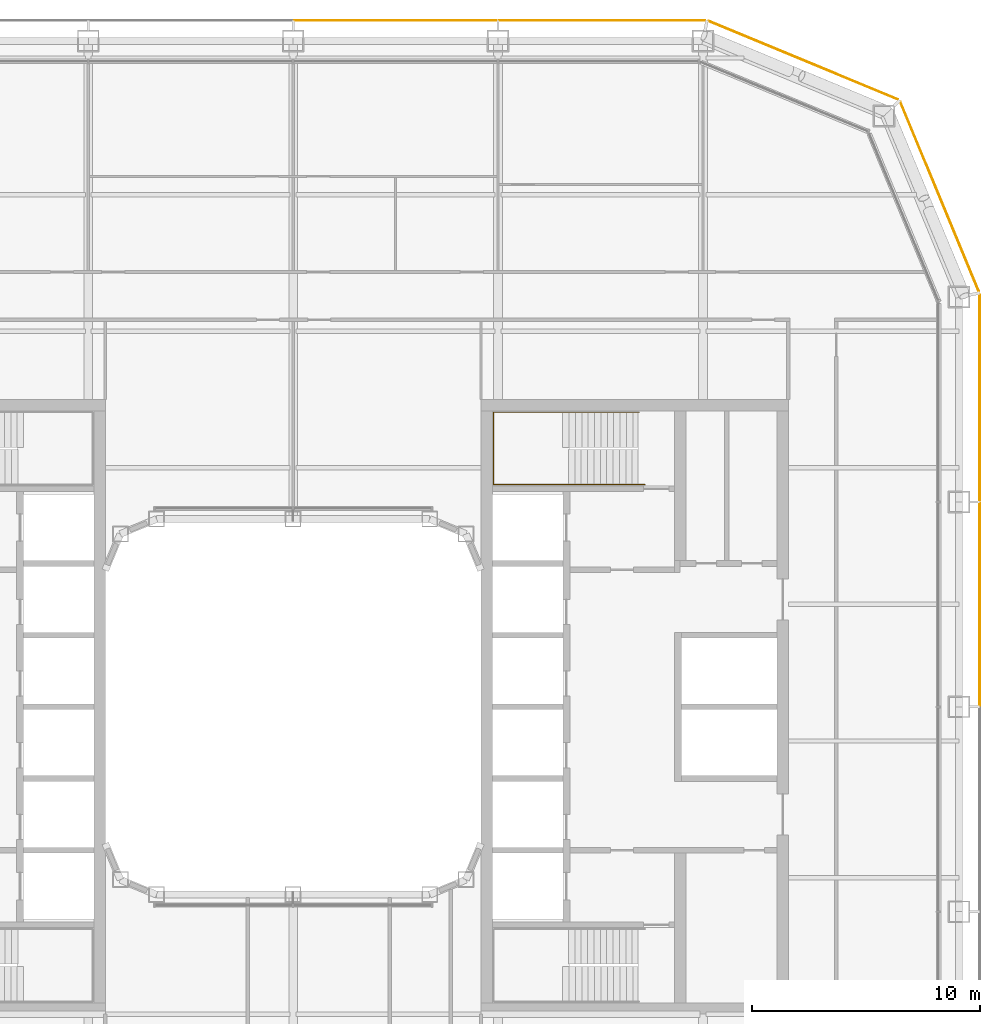
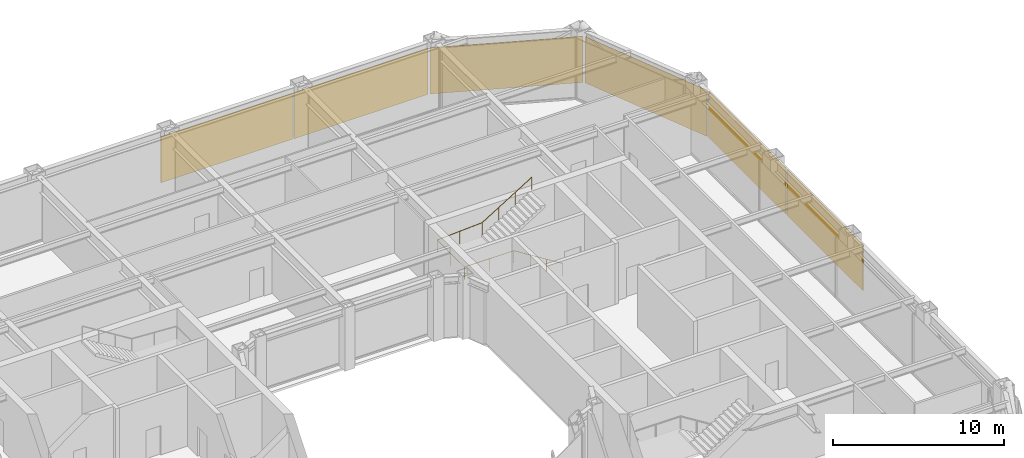
# One storey, part 21 of 21: 6 coverings, 1 railing.
"""IFC4 building model written with IfcOpenShell, lengths in metres."""

from ifc_helpers import new_model, si_unit, direction, frame, origin, origin_2d, place, context, subcontext, project, spatial, rectangle, circle, extrude, material, layer, layer_set, type_object, element, save


model = new_model("IFC4")

# Units and contexts
model_context = context("Model", 3, precision=1e-05, world=origin(), true_north=direction((0.0, 1.0)))
body_context = subcontext(model_context, "Body", "Model", "MODEL_VIEW")
ifc_project = project(units=[si_unit("LENGTHUNIT", "METRE"), si_unit("AREAUNIT", "SQUARE_METRE"), si_unit("VOLUMEUNIT", "CUBIC_METRE"), si_unit("PLANEANGLEUNIT", "RADIAN"), si_unit("MASSUNIT", "GRAM", prefix="KILO")], contexts=[model_context])

# Site, building, storey
site_placement = place(None, origin())
site = spatial("IfcSite", under=ifc_project, at=site_placement, CompositionType="ELEMENT")
building_placement = place(site_placement, origin())
building = spatial("IfcBuilding", under=site, at=building_placement, Name="Siwar Civic Tower", CompositionType="ELEMENT")
storey_placement = place(building_placement, frame((0.0, 0.0, 104.699951171875)))
storey = spatial("IfcBuildingStorey", under=building, at=storey_placement, Name="L22", CompositionType="ELEMENT", Elevation=104.699951171875)

# Railing
ifc_material_1 = material(Name="Stainless steel", Category="steel")
railing_type = type_object("IfcRailingType", Name="CORE-STAIR-HANDRAIL", PredefinedType="HANDRAIL", material=ifc_material_1)
railing_placement = place(storey_placement, frame((15.449951171875, 9.758056640625, 0.173095703125)))
element("IfcRailing", 1, at=railing_placement, inside=storey, type_object=railing_type, Name="Stair handrail ST3", PredefinedType="HANDRAIL", context=body_context, shape_type="SweptSolid", body=[
    extrude(circle(Radius=0.02001953125, at=origin_2d()), frame((0.0, 0.0, 0.8798828125), z_axis=(-0.847063342986, 0.0, 0.531491950051), x_axis=(0.0, -1.0, 0.0)), (0.0, 0.0, 1.0), 3.90771484375),
    extrude(circle(Radius=0.02001953125, at=origin_2d()), frame((-3.31005859375, 0.0, 2.956787109375), z_axis=(-1.0, 0.0, 0.0), x_axis=(0.0, -1.0, 0.0)), (0.0, 0.0, 1.0), 3.331787109375),
    extrude(circle(Radius=0.02001953125, at=origin_2d()), frame((-6.641845703125, 0.0, 2.956787109375), z_axis=(0.0, 1.0, 0.0), x_axis=(-1.0, 0.0, 0.0)), (0.0, 0.0, 1.0), 3.183837890625),
    extrude(circle(Radius=0.02001953125, at=origin_2d()), frame((-6.641845703125, 3.183837890625, 2.956787109375), z_axis=(0.99837434197, 0.0, 0.056997134106), x_axis=(0.0, 1.0, 0.0)), (0.0, 0.0, 1.0), 3.036865234375),
    extrude(circle(Radius=0.02001953125, at=origin_2d()), frame((-3.60986328125, 3.183837890625, 3.1298828125), z_axis=(0.850606129759, 0.0, 0.525803396734), x_axis=(0.0, 1.0, 0.0)), (0.0, 0.0, 1.0), 3.949951171875),
    extrude(circle(Radius=0.02001953125, at=origin_2d()), origin(), (0.0, 0.0, 1.0), 0.85986328125),
    extrude(circle(Radius=0.02001953125, at=origin_2d()), frame((-1.103271484375, 0.0, 0.6923828125)), (0.0, 0.0, 1.0), 0.85986328125),
    extrude(circle(Radius=0.02001953125, at=origin_2d()), frame((-2.206787109375, 0.0, 1.384521484375)), (0.0, 0.0, 1.0), 0.85986328125),
    extrude(circle(Radius=0.02001953125, at=origin_2d()), frame((-3.31005859375, 0.0, 2.076904296875)), (0.0, 0.0, 1.0), 0.85986328125),
    extrude(circle(Radius=0.02001953125, at=origin_2d()), frame((-4.97607421875, 0.0, 2.076904296875)), (0.0, 0.0, 1.0), 0.85986328125),
    extrude(circle(Radius=0.02001953125, at=origin_2d()), frame((-6.641845703125, 0.0, 2.076904296875)), (0.0, 0.0, 1.0), 0.85986328125),
    extrude(circle(Radius=0.02001953125, at=origin_2d()), frame((-6.641845703125, 1.591796875, 2.076904296875)), (0.0, 0.0, 1.0), 0.85986328125),
    extrude(circle(Radius=0.02001953125, at=origin_2d()), frame((-6.641845703125, 3.183837890625, 2.076904296875)), (0.0, 0.0, 1.0), 0.85986328125),
    extrude(circle(Radius=0.02001953125, at=origin_2d()), frame((-5.1259765625, 3.183837890625, 2.16357421875)), (0.0, 0.0, 1.0), 0.85986328125),
    extrude(circle(Radius=0.02001953125, at=origin_2d()), frame((-3.60986328125, 3.183837890625, 2.25)), (0.0, 0.0, 1.0), 0.85986328125),
    extrude(circle(Radius=0.02001953125, at=origin_2d()), frame((-2.489990234375, 3.183837890625, 2.9423828125)), (0.0, 0.0, 1.0), 0.85986328125),
    extrude(circle(Radius=0.02001953125, at=origin_2d()), frame((-1.369873046875, 3.183837890625, 3.634521484375)), (0.0, 0.0, 1.0), 0.85986328125),
    extrude(circle(Radius=0.02001953125, at=origin_2d()), frame((-0.25, 3.183837890625, 4.326904296875)), (0.0, 0.0, 1.0), 0.85986328125),
])

# Coverings
ifc_material_2 = material(Name="Perforated aluminium cassette, pale metal", Category="aluminium")
ifc_layer = layer(ifc_material_2, 0.0400390625)
ifc_layer_set = layer_set([ifc_layer], Name="Perforated aluminium cassette, pale metal")
covering_type = type_object("IfcCoveringType", Name="ENV-OUTER SKIN OS-1", PredefinedType="CLADDING", material=ifc_layer_set)
covering_1_placement = place(storey_placement, frame((30.14990234375, 4.5, -0.14990234375), z_axis=(0.0, 0.0, 1.0), x_axis=(0.0, 1.0, 0.0)))
element("IfcCovering", 2, at=covering_1_placement, inside=storey, type_object=covering_type, Name="OUTER SKIN OS-1 E 3", PredefinedType="CLADDING", context=body_context, shape_type="SweptSolid", body=[
    extrude(rectangle(XDim=8.89990234375, YDim=0.0400390625, at=origin_2d()), origin(), (0.0, 0.0, 1.0), 3.300048828125),
])
covering_2_placement = place(storey_placement, frame((30.14990234375, 13.57958984375, -0.14990234375), z_axis=(0.0, 0.0, 1.0), x_axis=(0.0, 1.0, 0.0)))
element("IfcCovering", 3, at=covering_2_placement, inside=storey, type_object=covering_type, Name="OUTER SKIN OS-1 E 4", PredefinedType="CLADDING", context=body_context, shape_type="SweptSolid", body=[
    extrude(rectangle(XDim=9.05908203125, YDim=0.0400390625, at=origin_2d()), origin(), (0.0, 0.0, 1.0), 3.300048828125),
])
for number, where, z_axis, x_axis, name in (
    (4, (28.39697265625, 22.411376953125, -0.14990234375), (0.0, 0.0, 1.0), (-0.382683432365, 0.923879532511, 0.0), "OUTER SKIN OS-1 NE1 1"),
    (5, (22.411376953125, 28.39697265625, -0.14990234375), (0.0, 0.0, 1.0), (-0.923879532511, 0.382683432365, 0.0), "OUTER SKIN OS-1 NE2 1"),
):
    element("IfcCovering", number, at=place(storey_placement, frame(where, z_axis=z_axis, x_axis=x_axis)), inside=storey, type_object=covering_type, Name=name, PredefinedType="CLADDING", context=body_context, shape_type="SweptSolid", body=[
        extrude(rectangle(XDim=9.022216796875, YDim=0.0400390625, at=origin_2d()), origin(), (0.0, 0.0, 1.0), 3.300048828125),
    ])
covering_3_placement = place(storey_placement, frame((13.57958984375, 30.14990234375, -0.14990234375), z_axis=(0.0, 0.0, 1.0), x_axis=(-1.0, 0.0, 0.0)))
element("IfcCovering", 6, at=covering_3_placement, inside=storey, type_object=covering_type, Name="OUTER SKIN OS-1 N 1", PredefinedType="CLADDING", context=body_context, shape_type="SweptSolid", body=[
    extrude(rectangle(XDim=9.05908203125, YDim=0.0400390625, at=origin_2d()), origin(), (0.0, 0.0, 1.0), 3.300048828125),
])
covering_4_placement = place(storey_placement, frame((4.5, 30.14990234375, -0.14990234375), z_axis=(0.0, 0.0, 1.0), x_axis=(-1.0, 0.0, 0.0)))
element("IfcCovering", 7, at=covering_4_placement, inside=storey, type_object=covering_type, Name="OUTER SKIN OS-1 N 2", PredefinedType="CLADDING", context=body_context, shape_type="SweptSolid", body=[
    extrude(rectangle(XDim=8.89990234375, YDim=0.0400390625, at=origin_2d()), origin(), (0.0, 0.0, 1.0), 3.300048828125),
])

save(model, "model.ifc")
